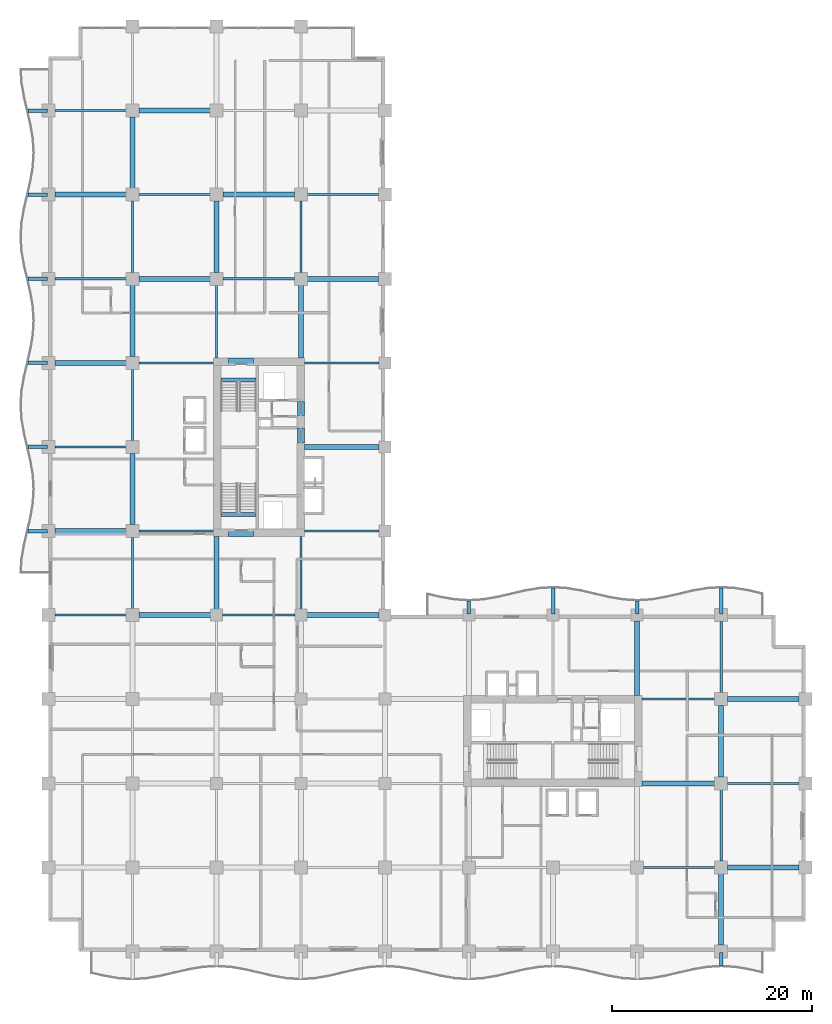
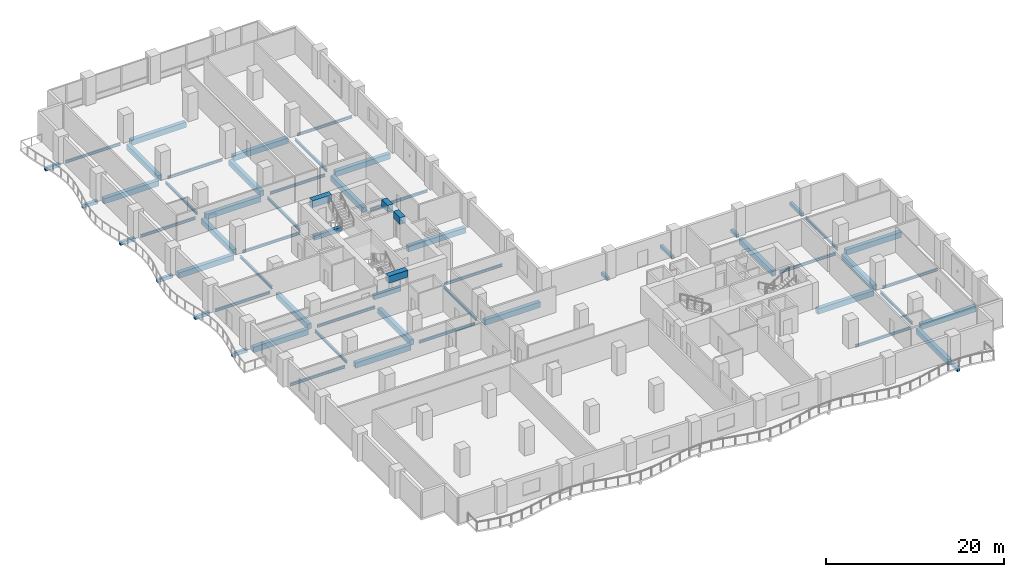
# One storey, part 2 of 22: 62 beams.
"""IFC4 building model written with IfcOpenShell, lengths in metres."""

from ifc_helpers import new_model, si_unit, direction, frame, origin, origin_2d, place, context, subcontext, project, spatial, rectangle, i_section, extrude, material, material_profile, profile_set, type_object, element, save


model = new_model("IFC4")

# Units and contexts
model_context = context("Model", 3, precision=1e-05, world=origin(), true_north=direction((0.0, 1.0)))
body_context = subcontext(model_context, "Body", "Model", "MODEL_VIEW")
ifc_project = project(units=[si_unit("LENGTHUNIT", "METRE"), si_unit("AREAUNIT", "SQUARE_METRE"), si_unit("VOLUMEUNIT", "CUBIC_METRE"), si_unit("PLANEANGLEUNIT", "RADIAN"), si_unit("MASSUNIT", "GRAM", prefix="KILO")], contexts=[model_context])

# Site, building, storey
site_placement = place(None, origin())
site = spatial("IfcSite", under=ifc_project, at=site_placement, CompositionType="ELEMENT")
building_placement = place(site_placement, origin())
building = spatial("IfcBuilding", under=site, at=building_placement, Name="Koriwani Terraces Tower", CompositionType="ELEMENT")
storey_placement = place(building_placement, frame((0.0, 0.0, 141.800048828125)))
storey = spatial("IfcBuildingStorey", under=building, at=storey_placement, Name="L34", CompositionType="ELEMENT", Elevation=141.800048828125)

# Beams
ifc_material_1 = material(Name="Concrete C40/50", Category="concrete")
ifc_material_profile_1 = material_profile(ifc_material_1, rectangle(XDim=0.35009765625, YDim=0.449951171875, at=origin_2d()), Name="Concrete C40/50", Category="LoadBearing")
ifc_profile_set_1 = profile_set([ifc_material_profile_1], Name="Concrete C40/50")
beam_type_1 = type_object("IfcBeamType", Name="BEAM_RC_BALCONY_RIB_350X450", PredefinedType="JOIST", material=ifc_profile_set_1)
beam_1_placement = place(storey_placement, frame((67.199951171875, -1.39990234375, -0.47509765625), z_axis=(0.0, 1.0, 0.0), x_axis=(-1.0, 0.0, 0.0)))
element("IfcBeam", 1, at=beam_1_placement, inside=storey, type_object=beam_type_1, Name="L34 Balcony Bracket Rib S-8", PredefinedType="JOIST", context=body_context, shape_type="SweptSolid", body=[
    extrude(rectangle(XDim=0.35009765625, YDim=0.449951171875, at=origin_2d()), origin(), (0.0, 0.0, 1.0), 1.2998046875),
])
for number, where, z_axis, x_axis, name in (
    (2, (-2.050048828125, 42.0, -0.47509765625), (1.0, 0.0, 0.0), (0.0, 1.0, 0.0), "L34 Balcony Bracket Rib W-1"),
    (3, (-2.050048828125, 50.39990234375, -0.47509765625), (1.0, 0.0, 0.0), (0.0, 1.0, 0.0), "L34 Balcony Bracket Rib W-2"),
    (4, (-2.050048828125, 58.800048828125, -0.47509765625), (1.0, 0.0, 0.0), (0.0, 1.0, 0.0), "L34 Balcony Bracket Rib W-3"),
    (5, (-2.050048828125, 67.199951171875, -0.47509765625), (1.0, 0.0, 0.0), (0.0, 1.0, 0.0), "L34 Balcony Bracket Rib W-4"),
    (6, (-2.050048828125, 75.60009765625, -0.47509765625), (1.0, 0.0, 0.0), (0.0, 1.0, 0.0), "L34 Balcony Bracket Rib W-5"),
    (7, (-2.050048828125, 84.0, -0.47509765625), (1.0, 0.0, 0.0), (0.0, 1.0, 0.0), "L34 Balcony Bracket Rib W-6"),
):
    element("IfcBeam", number, at=place(storey_placement, frame(where, z_axis=z_axis, x_axis=x_axis)), inside=storey, type_object=beam_type_1, Name=name, PredefinedType="JOIST", context=body_context, shape_type="SweptSolid", body=[
        extrude(rectangle(XDim=0.35009765625, YDim=0.449951171875, at=origin_2d()), origin(), (0.0, 0.0, 1.0), 1.949951171875),
    ])
beam_2_placement = place(storey_placement, frame((42.0, 33.699951171875, -0.47509765625), z_axis=(0.0, 1.0, 0.0), x_axis=(-1.0, 0.0, 0.0)))
element("IfcBeam", 8, at=beam_2_placement, inside=storey, type_object=beam_type_1, Name="L34 Balcony Bracket Rib NE-1", PredefinedType="JOIST", context=body_context, shape_type="SweptSolid", body=[
    extrude(rectangle(XDim=0.35009765625, YDim=0.449951171875, at=origin_2d()), origin(), (0.0, 0.0, 1.0), 1.300048828125),
])
beam_3_placement = place(storey_placement, frame((50.39990234375, 33.699951171875, -0.47509765625), z_axis=(0.0, 1.0, 0.0), x_axis=(-1.0, 0.0, 0.0)))
element("IfcBeam", 9, at=beam_3_placement, inside=storey, type_object=beam_type_1, Name="L34 Balcony Bracket Rib NE-2", PredefinedType="JOIST", context=body_context, shape_type="SweptSolid", body=[
    extrude(rectangle(XDim=0.35009765625, YDim=0.449951171875, at=origin_2d()), origin(), (0.0, 0.0, 1.0), 2.60009765625),
])
beam_4_placement = place(storey_placement, frame((58.800048828125, 33.699951171875, -0.47509765625), z_axis=(0.0, 1.0, 0.0), x_axis=(-1.0, 0.0, 0.0)))
element("IfcBeam", 10, at=beam_4_placement, inside=storey, type_object=beam_type_1, Name="L34 Balcony Bracket Rib NE-3", PredefinedType="JOIST", context=body_context, shape_type="SweptSolid", body=[
    extrude(rectangle(XDim=0.35009765625, YDim=0.449951171875, at=origin_2d()), origin(), (0.0, 0.0, 1.0), 1.300048828125),
])
beam_5_placement = place(storey_placement, frame((67.199951171875, 33.699951171875, -0.47509765625), z_axis=(0.0, 1.0, 0.0), x_axis=(-1.0, 0.0, 0.0)))
element("IfcBeam", 11, at=beam_5_placement, inside=storey, type_object=beam_type_1, Name="L34 Balcony Bracket Rib NE-4", PredefinedType="JOIST", context=body_context, shape_type="SweptSolid", body=[
    extrude(rectangle(XDim=0.35009765625, YDim=0.449951171875, at=origin_2d()), origin(), (0.0, 0.0, 1.0), 2.60009765625),
])
ifc_material_2 = material(Name="Concrete C60/75", Category="concrete")
ifc_material_profile_2 = material_profile(ifc_material_2, rectangle(XDim=0.699951171875, YDim=0.949951171875, at=origin_2d()), Name="Concrete C60/75", Category="LoadBearing")
ifc_profile_set_2 = profile_set([ifc_material_profile_2], Name="Concrete C60/75")
beam_type_2 = type_object("IfcBeamType", Name="BEAM_RC_COUPLING_700X950", PredefinedType="LINTEL", material=ifc_profile_set_2)
beam_6_placement = place(storey_placement, frame((25.199951171875, 50.800048828125, 3.074951171875), z_axis=(0.0, 1.0, 0.0), x_axis=(-1.0, 0.0, 0.0)))
element("IfcBeam", 12, at=beam_6_placement, inside=storey, type_object=beam_type_2, Name="L34 Core Coupling Lintel Beam WE1", PredefinedType="LINTEL", context=body_context, shape_type="SweptSolid", body=[
    extrude(rectangle(XDim=0.699951171875, YDim=0.949951171875, at=origin_2d()), origin(), (0.0, 0.0, 1.0), 1.47998046875),
])
beam_7_placement = place(storey_placement, frame((25.199951171875, 53.550048828125, 3.074951171875), z_axis=(0.0, 1.0, 0.0), x_axis=(-1.0, 0.0, 0.0)))
element("IfcBeam", 13, at=beam_7_placement, inside=storey, type_object=beam_type_2, Name="L34 Core Coupling Lintel Beam WE2", PredefinedType="LINTEL", context=body_context, shape_type="SweptSolid", body=[
    extrude(rectangle(XDim=0.699951171875, YDim=0.949951171875, at=origin_2d()), origin(), (0.0, 0.0, 1.0), 1.39990234375),
])
for number, where, z_axis, x_axis, name in (
    (14, (18.0, 41.824951171875, 3.074951171875), (1.0, 0.0, 0.0), (0.0, 1.0, 0.0), "L34 Core Coupling Lintel Beam WS"),
    (15, (18.0, 58.925048828125, 3.074951171875), (1.0, 0.0, 0.0), (0.0, 1.0, 0.0), "L34 Core Coupling Lintel Beam WN"),
):
    element("IfcBeam", number, at=place(storey_placement, frame(where, z_axis=z_axis, x_axis=x_axis)), inside=storey, type_object=beam_type_2, Name=name, PredefinedType="LINTEL", context=body_context, shape_type="SweptSolid", body=[
        extrude(rectangle(XDim=0.699951171875, YDim=0.949951171875, at=origin_2d()), origin(), (0.0, 0.0, 1.0), 2.5),
    ])
ifc_material_profile_3 = material_profile(ifc_material_1, rectangle(XDim=0.39990234375, YDim=0.60009765625, at=origin_2d()), Name="Concrete C40/50", Category="LoadBearing")
ifc_profile_set_3 = profile_set([ifc_material_profile_3], Name="Concrete C40/50")
beam_type_3 = type_object("IfcBeamType", Name="BEAM_RC_GRID_400X600", PredefinedType="BEAM", material=ifc_profile_set_3)
for number, where, z_axis, x_axis, name in (
    (16, (17.25, 43.655029296875, -0.300048828125), (1.0, 0.0, 0.0), (0.0, 1.0, 0.0), "L34 Stairwell Header Trimmer Beam ST-W1"),
    (17, (17.25, 57.094970703125, -0.300048828125), (1.0, 0.0, 0.0), (0.0, 1.0, 0.0), "L34 Stairwell Header Trimmer Beam ST-W2"),
):
    element("IfcBeam", number, at=place(storey_placement, frame(where, z_axis=z_axis, x_axis=x_axis)), inside=storey, type_object=beam_type_3, Name=name, PredefinedType="BEAM", context=body_context, shape_type="SweptSolid", body=[
        extrude(rectangle(XDim=0.39990234375, YDim=0.60009765625, at=origin_2d()), origin(), (0.0, 0.0, 1.0), 3.5),
    ])
ifc_material_3 = material(Name="Concrete C50/60", Category="concrete")
ifc_material_profile_4 = material_profile(ifc_material_3, rectangle(XDim=0.5, YDim=0.75, at=origin_2d()), Name="Concrete C50/60", Category="LoadBearing")
ifc_profile_set_4 = profile_set([ifc_material_profile_4], Name="Concrete C50/60")
beam_type_4 = type_object("IfcBeamType", Name="BEAM_RC_GRID_500X750", PredefinedType="BEAM", material=ifc_profile_set_4)
beam_8_placement = place(storey_placement, frame((67.830078125, 8.39990234375, -0.625), z_axis=(1.0, 0.0, 0.0), x_axis=(0.0, 1.0, 0.0)))
element("IfcBeam", 18, at=beam_8_placement, inside=storey, type_object=beam_type_4, Name="L34 Grid Beam B (67.2-75.6m)", PredefinedType="BEAM", context=body_context, shape_type="SweptSolid", body=[
    extrude(rectangle(XDim=0.5, YDim=0.75, at=origin_2d()), origin(), (0.0, 0.0, 1.0), 7.139892578125),
])
beam_9_placement = place(storey_placement, frame((59.280029296875, 16.800048828125, -0.625), z_axis=(1.0, 0.0, 0.0), x_axis=(0.0, 1.0, 0.0)))
element("IfcBeam", 19, at=beam_9_placement, inside=storey, type_object=beam_type_4, Name="L34 Grid Beam C (58.8-67.2m)", PredefinedType="BEAM", context=body_context, shape_type="SweptSolid", body=[
    extrude(rectangle(XDim=0.5, YDim=0.75, at=origin_2d()), origin(), (0.0, 0.0, 1.0), 7.2900390625),
])
beam_10_placement = place(storey_placement, frame((67.830078125, 25.199951171875, -0.625), z_axis=(1.0, 0.0, 0.0), x_axis=(0.0, 1.0, 0.0)))
element("IfcBeam", 20, at=beam_10_placement, inside=storey, type_object=beam_type_4, Name="L34 Grid Beam D (67.2-75.6m)", PredefinedType="BEAM", context=body_context, shape_type="SweptSolid", body=[
    extrude(rectangle(XDim=0.5, YDim=0.75, at=origin_2d()), origin(), (0.0, 0.0, 1.0), 7.139892578125),
])
beam_11_placement = place(storey_placement, frame((9.030029296875, 33.60009765625, -0.625), z_axis=(1.0, 0.0, 0.0), x_axis=(0.0, 1.0, 0.0)))
element("IfcBeam", 21, at=beam_11_placement, inside=storey, type_object=beam_type_4, Name="L34 Grid Beam E (8.4-16.8m)", PredefinedType="BEAM", context=body_context, shape_type="SweptSolid", body=[
    extrude(rectangle(XDim=0.5, YDim=0.75, at=origin_2d()), origin(), (0.0, 0.0, 1.0), 7.18994140625),
])
beam_12_placement = place(storey_placement, frame((25.780029296875, 33.60009765625, -0.625), z_axis=(1.0, 0.0, 0.0), x_axis=(0.0, 1.0, 0.0)))
element("IfcBeam", 22, at=beam_12_placement, inside=storey, type_object=beam_type_4, Name="L34 Grid Beam E (25.2-33.6m)", PredefinedType="BEAM", context=body_context, shape_type="SweptSolid", body=[
    extrude(rectangle(XDim=0.5, YDim=0.75, at=origin_2d()), origin(), (0.0, 0.0, 1.0), 7.239990234375),
])
beam_13_placement = place(storey_placement, frame((0.6298828125, 42.0, -0.625), z_axis=(1.0, 0.0, 0.0), x_axis=(0.0, 1.0, 0.0)))
element("IfcBeam", 23, at=beam_13_placement, inside=storey, type_object=beam_type_4, Name="L34 Grid Beam F (0.0-8.4m)", PredefinedType="BEAM", context=body_context, shape_type="SweptSolid", body=[
    extrude(rectangle(XDim=0.5, YDim=0.75, at=origin_2d()), origin(), (0.0, 0.0, 1.0), 7.14013671875),
])
beam_14_placement = place(storey_placement, frame((25.554931640625, 50.39990234375, -0.625), z_axis=(1.0, 0.0, 0.0), x_axis=(0.0, 1.0, 0.0)))
element("IfcBeam", 24, at=beam_14_placement, inside=storey, type_object=beam_type_4, Name="L34 Grid Beam G (25.2-33.6m)", PredefinedType="BEAM", context=body_context, shape_type="SweptSolid", body=[
    extrude(rectangle(XDim=0.5, YDim=0.75, at=origin_2d()), origin(), (0.0, 0.0, 1.0), 7.465087890625),
])
beam_15_placement = place(storey_placement, frame((0.6298828125, 58.800048828125, -0.625), z_axis=(1.0, 0.0, 0.0), x_axis=(0.0, 1.0, 0.0)))
element("IfcBeam", 25, at=beam_15_placement, inside=storey, type_object=beam_type_4, Name="L34 Grid Beam H (0.0-8.4m)", PredefinedType="BEAM", context=body_context, shape_type="SweptSolid", body=[
    extrude(rectangle(XDim=0.5, YDim=0.75, at=origin_2d()), origin(), (0.0, 0.0, 1.0), 7.14013671875),
])
for number, where, z_axis, x_axis, name in (
    (26, (9.030029296875, 67.199951171875, -0.625), (1.0, 0.0, 0.0), (0.0, 1.0, 0.0), "L34 Grid Beam I (8.4-16.8m)"),
    (27, (25.830078125, 67.199951171875, -0.625), (1.0, 0.0, 0.0), (0.0, 1.0, 0.0), "L34 Grid Beam I (25.2-33.6m)"),
):
    element("IfcBeam", number, at=place(storey_placement, frame(where, z_axis=z_axis, x_axis=x_axis)), inside=storey, type_object=beam_type_4, Name=name, PredefinedType="BEAM", context=body_context, shape_type="SweptSolid", body=[
        extrude(rectangle(XDim=0.5, YDim=0.75, at=origin_2d()), origin(), (0.0, 0.0, 1.0), 7.139892578125),
    ])
for number, where, z_axis, x_axis, name in (
    (28, (0.6298828125, 75.60009765625, -0.625), (1.0, 0.0, 0.0), (0.0, 1.0, 0.0), "L34 Grid Beam J (0.0-8.4m)"),
    (29, (17.429931640625, 75.60009765625, -0.625), (1.0, 0.0, 0.0), (0.0, 1.0, 0.0), "L34 Grid Beam J (16.8-25.2m)"),
):
    element("IfcBeam", number, at=place(storey_placement, frame(where, z_axis=z_axis, x_axis=x_axis)), inside=storey, type_object=beam_type_4, Name=name, PredefinedType="BEAM", context=body_context, shape_type="SweptSolid", body=[
        extrude(rectangle(XDim=0.5, YDim=0.75, at=origin_2d()), origin(), (0.0, 0.0, 1.0), 7.14013671875),
    ])
beam_16_placement = place(storey_placement, frame((9.030029296875, 84.0, -0.625), z_axis=(1.0, 0.0, 0.0), x_axis=(0.0, 1.0, 0.0)))
element("IfcBeam", 30, at=beam_16_placement, inside=storey, type_object=beam_type_4, Name="L34 Grid Beam K (8.4-16.8m)", PredefinedType="BEAM", context=body_context, shape_type="SweptSolid", body=[
    extrude(rectangle(XDim=0.5, YDim=0.75, at=origin_2d()), origin(), (0.0, 0.0, 1.0), 7.139892578125),
])
for number, where, z_axis, x_axis, name in (
    (31, (8.39990234375, 42.6298828125, -0.625), (0.0, 1.0, 0.0), (-1.0, 0.0, 0.0), "L34 Grid Beam 2 (42.0-50.4m)"),
    (32, (8.39990234375, 59.429931640625, -0.625), (0.0, 1.0, 0.0), (-1.0, 0.0, 0.0), "L34 Grid Beam 2 (58.8-67.2m)"),
    (33, (8.39990234375, 76.22998046875, -0.625), (0.0, 1.0, 0.0), (-1.0, 0.0, 0.0), "L34 Grid Beam 2 (75.6-84.0m)"),
):
    element("IfcBeam", number, at=place(storey_placement, frame(where, z_axis=z_axis, x_axis=x_axis)), inside=storey, type_object=beam_type_4, Name=name, PredefinedType="BEAM", context=body_context, shape_type="SweptSolid", body=[
        extrude(rectangle(XDim=0.5, YDim=0.75, at=origin_2d()), origin(), (0.0, 0.0, 1.0), 7.14013671875),
    ])
beam_17_placement = place(storey_placement, frame((16.800048828125, 34.179931640625, -0.625), z_axis=(0.0, 1.0, 0.0), x_axis=(-1.0, 0.0, 0.0)))
element("IfcBeam", 34, at=beam_17_placement, inside=storey, type_object=beam_type_4, Name="L34 Grid Beam 3 (33.6-42.0m)", PredefinedType="BEAM", context=body_context, shape_type="SweptSolid", body=[
    extrude(rectangle(XDim=0.5, YDim=0.75, at=origin_2d()), origin(), (0.0, 0.0, 1.0), 7.2900390625),
])
beam_18_placement = place(storey_placement, frame((16.800048828125, 67.830078125, -0.625), z_axis=(0.0, 1.0, 0.0), x_axis=(-1.0, 0.0, 0.0)))
element("IfcBeam", 35, at=beam_18_placement, inside=storey, type_object=beam_type_4, Name="L34 Grid Beam 3 (67.2-75.6m)", PredefinedType="BEAM", context=body_context, shape_type="SweptSolid", body=[
    extrude(rectangle(XDim=0.5, YDim=0.75, at=origin_2d()), origin(), (0.0, 0.0, 1.0), 7.139892578125),
])
beam_19_placement = place(storey_placement, frame((25.199951171875, 59.280029296875, -0.625), z_axis=(0.0, 1.0, 0.0), x_axis=(-1.0, 0.0, 0.0)))
element("IfcBeam", 36, at=beam_19_placement, inside=storey, type_object=beam_type_4, Name="L34 Grid Beam 4 (58.8-67.2m)", PredefinedType="BEAM", context=body_context, shape_type="SweptSolid", body=[
    extrude(rectangle(XDim=0.5, YDim=0.75, at=origin_2d()), origin(), (0.0, 0.0, 1.0), 7.2900390625),
])
beam_20_placement = place(storey_placement, frame((58.800048828125, 25.554931640625, -0.625), z_axis=(0.0, 1.0, 0.0), x_axis=(-1.0, 0.0, 0.0)))
element("IfcBeam", 37, at=beam_20_placement, inside=storey, type_object=beam_type_4, Name="L34 Grid Beam 8 (25.2-33.6m)", PredefinedType="BEAM", context=body_context, shape_type="SweptSolid", body=[
    extrude(rectangle(XDim=0.5, YDim=0.75, at=origin_2d()), origin(), (0.0, 0.0, 1.0), 7.465087890625),
])
for number, where, z_axis, x_axis, name in (
    (38, (67.199951171875, 0.6298828125, -0.625), (0.0, 1.0, 0.0), (-1.0, 0.0, 0.0), "L34 Grid Beam 9 (0.0-8.4m)"),
    (39, (67.199951171875, 17.429931640625, -0.625), (0.0, 1.0, 0.0), (-1.0, 0.0, 0.0), "L34 Grid Beam 9 (16.8-25.2m)"),
):
    element("IfcBeam", number, at=place(storey_placement, frame(where, z_axis=z_axis, x_axis=x_axis)), inside=storey, type_object=beam_type_4, Name=name, PredefinedType="BEAM", context=body_context, shape_type="SweptSolid", body=[
        extrude(rectangle(XDim=0.5, YDim=0.75, at=origin_2d()), origin(), (0.0, 0.0, 1.0), 7.14013671875),
    ])
ifc_material_4 = material(Name="Steel ASTM A572 Grade 50", Category="steel")
ifc_material_profile_5 = material_profile(ifc_material_4, i_section(OverallWidth=0.205078125, OverallDepth=0.35400390625, WebThickness=0.009521484375, FlangeThickness=0.016845703125, at=origin_2d()), Name="Steel ASTM A572 Grade 50", Category="LoadBearing")
ifc_profile_set_5 = profile_set([ifc_material_profile_5], Name="Steel ASTM A572 Grade 50")
beam_type_5 = type_object("IfcBeamType", Name="STEEL_BEAM_W360X79", PredefinedType="JOIST", material=ifc_profile_set_5)
beam_21_placement = place(storey_placement, frame((59.429931640625, 8.39990234375, -0.427001953125), z_axis=(1.0, 0.0, 0.0), x_axis=(0.0, 1.0, 0.0)))
element("IfcBeam", 40, at=beam_21_placement, inside=storey, type_object=beam_type_5, Name="L34 Grid Beam B (58.8-67.2m)", PredefinedType="JOIST", context=body_context, shape_type="SweptSolid", body=[
    extrude(i_section(OverallWidth=0.205078125, OverallDepth=0.35400390625, WebThickness=0.009521484375, FlangeThickness=0.016845703125, at=origin_2d()), origin(), (0.0, 0.0, 1.0), 7.14013671875),
])
beam_22_placement = place(storey_placement, frame((67.830078125, 16.800048828125, -0.427001953125), z_axis=(1.0, 0.0, 0.0), x_axis=(0.0, 1.0, 0.0)))
element("IfcBeam", 41, at=beam_22_placement, inside=storey, type_object=beam_type_5, Name="L34 Grid Beam C (67.2-75.6m)", PredefinedType="JOIST", context=body_context, shape_type="SweptSolid", body=[
    extrude(i_section(OverallWidth=0.205078125, OverallDepth=0.35400390625, WebThickness=0.009521484375, FlangeThickness=0.016845703125, at=origin_2d()), origin(), (0.0, 0.0, 1.0), 7.139892578125),
])
beam_23_placement = place(storey_placement, frame((59.280029296875, 25.199951171875, -0.427001953125), z_axis=(1.0, 0.0, 0.0), x_axis=(0.0, 1.0, 0.0)))
element("IfcBeam", 42, at=beam_23_placement, inside=storey, type_object=beam_type_5, Name="L34 Grid Beam D (58.8-67.2m)", PredefinedType="JOIST", context=body_context, shape_type="SweptSolid", body=[
    extrude(i_section(OverallWidth=0.205078125, OverallDepth=0.35400390625, WebThickness=0.009521484375, FlangeThickness=0.016845703125, at=origin_2d()), origin(), (0.0, 0.0, 1.0), 7.2900390625),
])
beam_24_placement = place(storey_placement, frame((0.6298828125, 33.60009765625, -0.427001953125), z_axis=(1.0, 0.0, 0.0), x_axis=(0.0, 1.0, 0.0)))
element("IfcBeam", 43, at=beam_24_placement, inside=storey, type_object=beam_type_5, Name="L34 Grid Beam E (0.0-8.4m)", PredefinedType="JOIST", context=body_context, shape_type="SweptSolid", body=[
    extrude(i_section(OverallWidth=0.205078125, OverallDepth=0.35400390625, WebThickness=0.009521484375, FlangeThickness=0.016845703125, at=origin_2d()), origin(), (0.0, 0.0, 1.0), 7.14013671875),
])
beam_25_placement = place(storey_placement, frame((17.3798828125, 33.60009765625, -0.427001953125), z_axis=(1.0, 0.0, 0.0), x_axis=(0.0, 1.0, 0.0)))
element("IfcBeam", 44, at=beam_25_placement, inside=storey, type_object=beam_type_5, Name="L34 Grid Beam E (16.8-25.2m)", PredefinedType="JOIST", context=body_context, shape_type="SweptSolid", body=[
    extrude(i_section(OverallWidth=0.205078125, OverallDepth=0.35400390625, WebThickness=0.009521484375, FlangeThickness=0.016845703125, at=origin_2d()), origin(), (0.0, 0.0, 1.0), 7.240234375),
])
beam_26_placement = place(storey_placement, frame((9.030029296875, 42.0, -0.427001953125), z_axis=(1.0, 0.0, 0.0), x_axis=(0.0, 1.0, 0.0)))
element("IfcBeam", 45, at=beam_26_placement, inside=storey, type_object=beam_type_5, Name="L34 Grid Beam F (8.4-16.8m)", PredefinedType="JOIST", context=body_context, shape_type="SweptSolid", body=[
    extrude(i_section(OverallWidth=0.205078125, OverallDepth=0.35400390625, WebThickness=0.009521484375, FlangeThickness=0.016845703125, at=origin_2d()), origin(), (0.0, 0.0, 1.0), 7.489990234375),
])
beam_27_placement = place(storey_placement, frame((25.554931640625, 42.0, -0.427001953125), z_axis=(1.0, 0.0, 0.0), x_axis=(0.0, 1.0, 0.0)))
element("IfcBeam", 46, at=beam_27_placement, inside=storey, type_object=beam_type_5, Name="L34 Grid Beam F (25.2-33.6m)", PredefinedType="JOIST", context=body_context, shape_type="SweptSolid", body=[
    extrude(i_section(OverallWidth=0.205078125, OverallDepth=0.35400390625, WebThickness=0.009521484375, FlangeThickness=0.016845703125, at=origin_2d()), origin(), (0.0, 0.0, 1.0), 7.465087890625),
])
beam_28_placement = place(storey_placement, frame((0.6298828125, 50.39990234375, -0.427001953125), z_axis=(1.0, 0.0, 0.0), x_axis=(0.0, 1.0, 0.0)))
element("IfcBeam", 47, at=beam_28_placement, inside=storey, type_object=beam_type_5, Name="L34 Grid Beam G (0.0-8.4m)", PredefinedType="JOIST", context=body_context, shape_type="SweptSolid", body=[
    extrude(i_section(OverallWidth=0.205078125, OverallDepth=0.35400390625, WebThickness=0.009521484375, FlangeThickness=0.016845703125, at=origin_2d()), origin(), (0.0, 0.0, 1.0), 7.14013671875),
])
beam_29_placement = place(storey_placement, frame((9.030029296875, 58.800048828125, -0.427001953125), z_axis=(1.0, 0.0, 0.0), x_axis=(0.0, 1.0, 0.0)))
element("IfcBeam", 48, at=beam_29_placement, inside=storey, type_object=beam_type_5, Name="L34 Grid Beam H (8.4-16.8m)", PredefinedType="JOIST", context=body_context, shape_type="SweptSolid", body=[
    extrude(i_section(OverallWidth=0.205078125, OverallDepth=0.35400390625, WebThickness=0.009521484375, FlangeThickness=0.016845703125, at=origin_2d()), origin(), (0.0, 0.0, 1.0), 7.489990234375),
])
beam_30_placement = place(storey_placement, frame((25.554931640625, 58.800048828125, -0.427001953125), z_axis=(1.0, 0.0, 0.0), x_axis=(0.0, 1.0, 0.0)))
element("IfcBeam", 49, at=beam_30_placement, inside=storey, type_object=beam_type_5, Name="L34 Grid Beam H (25.2-33.6m)", PredefinedType="JOIST", context=body_context, shape_type="SweptSolid", body=[
    extrude(i_section(OverallWidth=0.205078125, OverallDepth=0.35400390625, WebThickness=0.009521484375, FlangeThickness=0.016845703125, at=origin_2d()), origin(), (0.0, 0.0, 1.0), 7.465087890625),
])
for number, where, z_axis, x_axis, name in (
    (50, (0.6298828125, 67.199951171875, -0.427001953125), (1.0, 0.0, 0.0), (0.0, 1.0, 0.0), "L34 Grid Beam I (0.0-8.4m)"),
    (51, (17.429931640625, 67.199951171875, -0.427001953125), (1.0, 0.0, 0.0), (0.0, 1.0, 0.0), "L34 Grid Beam I (16.8-25.2m)"),
):
    element("IfcBeam", number, at=place(storey_placement, frame(where, z_axis=z_axis, x_axis=x_axis)), inside=storey, type_object=beam_type_5, Name=name, PredefinedType="JOIST", context=body_context, shape_type="SweptSolid", body=[
        extrude(i_section(OverallWidth=0.205078125, OverallDepth=0.35400390625, WebThickness=0.009521484375, FlangeThickness=0.016845703125, at=origin_2d()), origin(), (0.0, 0.0, 1.0), 7.14013671875),
    ])
for number, where, z_axis, x_axis, name in (
    (52, (9.030029296875, 75.60009765625, -0.427001953125), (1.0, 0.0, 0.0), (0.0, 1.0, 0.0), "L34 Grid Beam J (8.4-16.8m)"),
    (53, (25.830078125, 75.60009765625, -0.427001953125), (1.0, 0.0, 0.0), (0.0, 1.0, 0.0), "L34 Grid Beam J (25.2-33.6m)"),
):
    element("IfcBeam", number, at=place(storey_placement, frame(where, z_axis=z_axis, x_axis=x_axis)), inside=storey, type_object=beam_type_5, Name=name, PredefinedType="JOIST", context=body_context, shape_type="SweptSolid", body=[
        extrude(i_section(OverallWidth=0.205078125, OverallDepth=0.35400390625, WebThickness=0.009521484375, FlangeThickness=0.016845703125, at=origin_2d()), origin(), (0.0, 0.0, 1.0), 7.139892578125),
    ])
for number, where, z_axis, x_axis, name in (
    (54, (0.6298828125, 84.0, -0.427001953125), (1.0, 0.0, 0.0), (0.0, 1.0, 0.0), "L34 Grid Beam K (0.0-8.4m)"),
    (55, (8.39990234375, 34.22998046875, -0.427001953125), (0.0, 1.0, 0.0), (-1.0, 0.0, 0.0), "L34 Grid Beam 2 (33.6-42.0m)"),
):
    element("IfcBeam", number, at=place(storey_placement, frame(where, z_axis=z_axis, x_axis=x_axis)), inside=storey, type_object=beam_type_5, Name=name, PredefinedType="JOIST", context=body_context, shape_type="SweptSolid", body=[
        extrude(i_section(OverallWidth=0.205078125, OverallDepth=0.35400390625, WebThickness=0.009521484375, FlangeThickness=0.016845703125, at=origin_2d()), origin(), (0.0, 0.0, 1.0), 7.14013671875),
    ])
for number, where, z_axis, x_axis, name in (
    (56, (8.39990234375, 51.030029296875, -0.427001953125), (0.0, 1.0, 0.0), (-1.0, 0.0, 0.0), "L34 Grid Beam 2 (50.4-58.8m)"),
    (57, (8.39990234375, 67.830078125, -0.427001953125), (0.0, 1.0, 0.0), (-1.0, 0.0, 0.0), "L34 Grid Beam 2 (67.2-75.6m)"),
):
    element("IfcBeam", number, at=place(storey_placement, frame(where, z_axis=z_axis, x_axis=x_axis)), inside=storey, type_object=beam_type_5, Name=name, PredefinedType="JOIST", context=body_context, shape_type="SweptSolid", body=[
        extrude(i_section(OverallWidth=0.205078125, OverallDepth=0.35400390625, WebThickness=0.009521484375, FlangeThickness=0.016845703125, at=origin_2d()), origin(), (0.0, 0.0, 1.0), 7.139892578125),
    ])
for number, where, z_axis, x_axis, name in (
    (58, (16.800048828125, 59.280029296875, -0.427001953125), (0.0, 1.0, 0.0), (-1.0, 0.0, 0.0), "L34 Grid Beam 3 (58.8-67.2m)"),
    (59, (25.199951171875, 34.179931640625, -0.427001953125), (0.0, 1.0, 0.0), (-1.0, 0.0, 0.0), "L34 Grid Beam 4 (33.6-42.0m)"),
):
    element("IfcBeam", number, at=place(storey_placement, frame(where, z_axis=z_axis, x_axis=x_axis)), inside=storey, type_object=beam_type_5, Name=name, PredefinedType="JOIST", context=body_context, shape_type="SweptSolid", body=[
        extrude(i_section(OverallWidth=0.205078125, OverallDepth=0.35400390625, WebThickness=0.009521484375, FlangeThickness=0.016845703125, at=origin_2d()), origin(), (0.0, 0.0, 1.0), 7.2900390625),
    ])
for number, where, z_axis, x_axis, name in (
    (60, (25.199951171875, 67.830078125, -0.427001953125), (0.0, 1.0, 0.0), (-1.0, 0.0, 0.0), "L34 Grid Beam 4 (67.2-75.6m)"),
    (61, (67.199951171875, 9.030029296875, -0.427001953125), (0.0, 1.0, 0.0), (-1.0, 0.0, 0.0), "L34 Grid Beam 9 (8.4-16.8m)"),
    (62, (67.199951171875, 25.830078125, -0.427001953125), (0.0, 1.0, 0.0), (-1.0, 0.0, 0.0), "L34 Grid Beam 9 (25.2-33.6m)"),
):
    element("IfcBeam", number, at=place(storey_placement, frame(where, z_axis=z_axis, x_axis=x_axis)), inside=storey, type_object=beam_type_5, Name=name, PredefinedType="JOIST", context=body_context, shape_type="SweptSolid", body=[
        extrude(i_section(OverallWidth=0.205078125, OverallDepth=0.35400390625, WebThickness=0.009521484375, FlangeThickness=0.016845703125, at=origin_2d()), origin(), (0.0, 0.0, 1.0), 7.139892578125),
    ])

save(model, "model.ifc")
